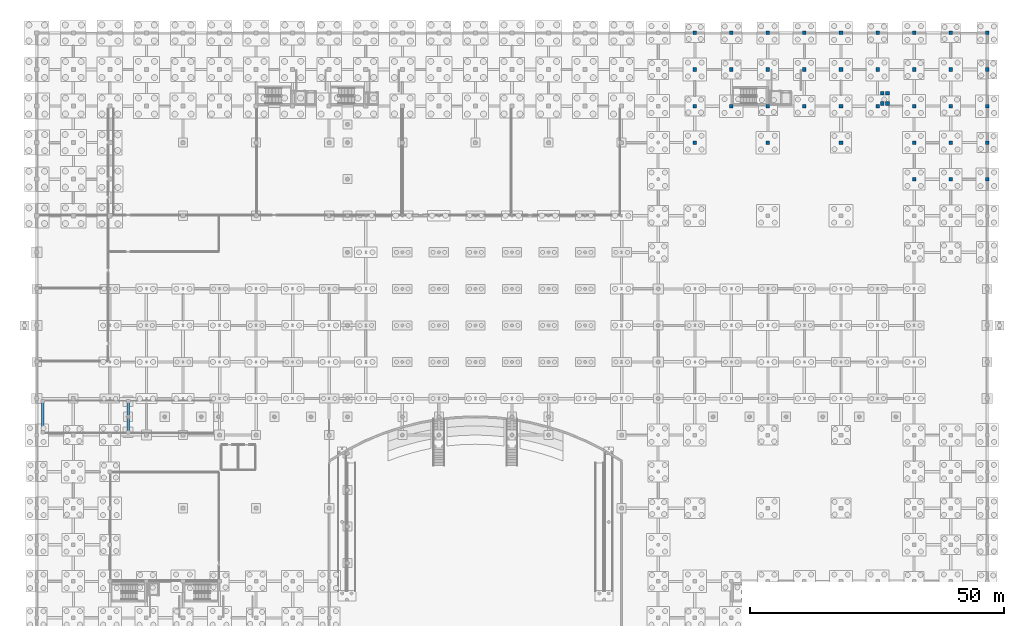
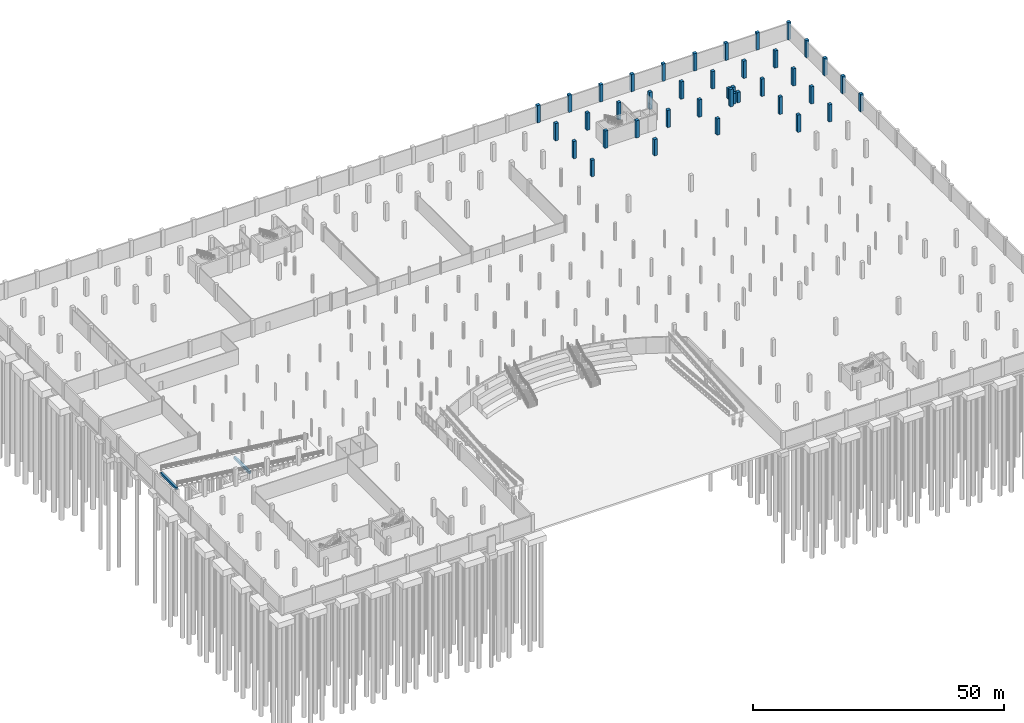
# One storey, part 35 of 56: 40 columns, 2 beams.
"""IFC4 building model written with IfcOpenShell, lengths in metres."""

from ifc_helpers import new_model, si_unit, direction, frame, origin, origin_2d, place, context, subcontext, project, spatial, rectangle, extrude, material, material_profile, profile_set, type_object, element, save


model = new_model("IFC4")

# Units and contexts
model_context = context("Model", 3, precision=1e-05, world=origin(), true_north=direction((0.0, 1.0)))
body_context = subcontext(model_context, "Body", "Model", "MODEL_VIEW")
ifc_project = project(units=[si_unit("LENGTHUNIT", "METRE"), si_unit("AREAUNIT", "SQUARE_METRE"), si_unit("VOLUMEUNIT", "CUBIC_METRE"), si_unit("PLANEANGLEUNIT", "RADIAN"), si_unit("MASSUNIT", "GRAM", prefix="KILO")], contexts=[model_context])

# Site, building, storey
site_placement = place(None, origin())
site = spatial("IfcSite", under=ifc_project, at=site_placement, CompositionType="ELEMENT")
building_placement = place(site_placement, origin())
building = spatial("IfcBuilding", under=site, at=building_placement, Name="Suanplinth Sawtooth Commons", CompositionType="ELEMENT")
storey_placement = place(building_placement, frame((0.0, 0.0, -4.199951171875)))
storey = spatial("IfcBuildingStorey", under=building, at=storey_placement, Name="B1", CompositionType="ELEMENT", Elevation=-4.199951171875)

# Columns
ifc_material_1 = material(Name="Concrete C40/50", Category="concrete")
ifc_material_profile_1 = material_profile(ifc_material_1, rectangle(XDim=0.699951171875, YDim=0.699951171875, at=origin_2d()), Name="RC-COL 700x700")
ifc_profile_set_1 = profile_set([ifc_material_profile_1], Name="Concrete C40/50")
column_type = type_object("IfcColumnType", Name="C-02", PredefinedType="COLUMN", material=ifc_profile_set_1)
column_1_placement = place(storey_placement, frame((129.60009765625, 100.800048828125, 0.0), z_axis=(0.0, 0.0, 1.0), x_axis=(1.0, 0.0, 0.0)))
element("IfcColumn", 1, at=column_1_placement, inside=storey, type_object=column_type, Name="Column B1 19/Q", PredefinedType="COLUMN", context=body_context, shape_type="SweptSolid", body=[
    extrude(rectangle(XDim=0.699951171875, YDim=0.699951171875, at=origin_2d()), origin(), (0.0, 0.0, 1.0), 3.97998046875),
])
for number, where, z_axis, x_axis, name in (
    (2, (129.60009765625, 108.0, 0.0), (0.0, 0.0, 1.0), (1.0, 0.0, 0.0), "Column B1 19/R"),
    (3, (129.60009765625, 115.199951171875, 0.0), (0.0, 0.0, 1.0), (1.0, 0.0, 0.0), "Column B1 19/S"),
    (4, (129.60009765625, 122.39990234375, 0.0), (0.0, 0.0, 1.0), (1.0, 0.0, 0.0), "Column B1 19/T"),
    (5, (136.800048828125, 108.0, 0.0), (0.0, 0.0, 1.0), (1.0, 0.0, 0.0), "Column B1 20/R"),
    (6, (136.800048828125, 115.199951171875, 0.0), (0.0, 0.0, 1.0), (1.0, 0.0, 0.0), "Column B1 20/S"),
    (7, (136.800048828125, 122.39990234375, 0.0), (0.0, 0.0, 1.0), (1.0, 0.0, 0.0), "Column B1 20/T"),
):
    element("IfcColumn", number, at=place(storey_placement, frame(where, z_axis=z_axis, x_axis=x_axis)), inside=storey, type_object=column_type, Name=name, PredefinedType="COLUMN", context=body_context, shape_type="SweptSolid", body=[
        extrude(rectangle(XDim=0.699951171875, YDim=0.699951171875, at=origin_2d()), origin(), (0.0, 0.0, 1.0), 4.199951171875),
    ])
column_2_placement = place(storey_placement, frame((144.0, 100.800048828125, 0.0), z_axis=(0.0, 0.0, 1.0), x_axis=(1.0, 0.0, 0.0)))
element("IfcColumn", 8, at=column_2_placement, inside=storey, type_object=column_type, Name="Column B1 21/Q", PredefinedType="COLUMN", context=body_context, shape_type="SweptSolid", body=[
    extrude(rectangle(XDim=0.699951171875, YDim=0.699951171875, at=origin_2d()), origin(), (0.0, 0.0, 1.0), 3.97998046875),
])
for number, where, z_axis, x_axis, name in (
    (9, (144.0, 108.0, 0.0), (0.0, 0.0, 1.0), (1.0, 0.0, 0.0), "Column B1 21/R"),
    (10, (144.0, 115.199951171875, 0.0), (0.0, 0.0, 1.0), (1.0, 0.0, 0.0), "Column B1 21/S"),
    (11, (144.0, 122.39990234375, 0.0), (0.0, 0.0, 1.0), (1.0, 0.0, 0.0), "Column B1 21/T"),
    (12, (151.199951171875, 108.0, 0.0), (0.0, 0.0, 1.0), (1.0, 0.0, 0.0), "Column B1 22/R"),
    (13, (151.199951171875, 115.199951171875, 0.0), (0.0, 0.0, 1.0), (1.0, 0.0, 0.0), "Column B1 22/S"),
    (14, (151.199951171875, 122.39990234375, 0.0), (0.0, 0.0, 1.0), (1.0, 0.0, 0.0), "Column B1 22/T"),
):
    element("IfcColumn", number, at=place(storey_placement, frame(where, z_axis=z_axis, x_axis=x_axis)), inside=storey, type_object=column_type, Name=name, PredefinedType="COLUMN", context=body_context, shape_type="SweptSolid", body=[
        extrude(rectangle(XDim=0.699951171875, YDim=0.699951171875, at=origin_2d()), origin(), (0.0, 0.0, 1.0), 4.199951171875),
    ])
column_3_placement = place(storey_placement, frame((158.39990234375, 100.800048828125, 0.0), z_axis=(0.0, 0.0, 1.0), x_axis=(1.0, 0.0, 0.0)))
element("IfcColumn", 15, at=column_3_placement, inside=storey, type_object=column_type, Name="Column B1 23/Q", PredefinedType="COLUMN", context=body_context, shape_type="SweptSolid", body=[
    extrude(rectangle(XDim=0.699951171875, YDim=0.699951171875, at=origin_2d()), origin(), (0.0, 0.0, 1.0), 3.97998046875),
])
for number, where, z_axis, x_axis, name in (
    (16, (158.39990234375, 108.0, 0.0), (0.0, 0.0, 1.0), (1.0, 0.0, 0.0), "Column B1 23/R"),
    (17, (158.39990234375, 115.199951171875, 0.0), (0.0, 0.0, 1.0), (1.0, 0.0, 0.0), "Column B1 23/S"),
    (18, (158.39990234375, 122.39990234375, 0.0), (0.0, 0.0, 1.0), (1.0, 0.0, 0.0), "Column B1 23/T"),
    (19, (165.60009765625, 108.0, 0.0), (0.0, 0.0, 1.0), (1.0, 0.0, 0.0), "Column B1 24/R"),
    (20, (165.60009765625, 115.199951171875, 0.0), (0.0, 0.0, 1.0), (1.0, 0.0, 0.0), "Column B1 24/S"),
    (21, (165.60009765625, 122.39990234375, 0.0), (0.0, 0.0, 1.0), (1.0, 0.0, 0.0), "Column B1 24/T"),
    (22, (172.800048828125, 93.60009765625, 0.0), (0.0, 0.0, 1.0), (1.0, 0.0, 0.0), "Column B1 25/P"),
    (23, (172.800048828125, 100.800048828125, 0.0), (0.0, 0.0, 1.0), (1.0, 0.0, 0.0), "Column B1 25/Q"),
    (24, (172.800048828125, 108.0, 0.0), (0.0, 0.0, 1.0), (1.0, 0.0, 0.0), "Column B1 25/R"),
    (25, (172.800048828125, 115.199951171875, 0.0), (0.0, 0.0, 1.0), (1.0, 0.0, 0.0), "Column B1 25/S"),
    (26, (172.800048828125, 122.39990234375, 0.0), (0.0, 0.0, 1.0), (1.0, 0.0, 0.0), "Column B1 25/T"),
    (27, (180.0, 93.60009765625, 0.0), (0.0, 0.0, 1.0), (1.0, 0.0, 0.0), "Column B1 26/P"),
    (28, (180.0, 100.800048828125, 0.0), (0.0, 0.0, 1.0), (1.0, 0.0, 0.0), "Column B1 26/Q"),
    (29, (180.0, 108.0, 0.0), (0.0, 0.0, 1.0), (1.0, 0.0, 0.0), "Column B1 26/R"),
    (30, (180.0, 115.199951171875, 0.0), (0.0, 0.0, 1.0), (1.0, 0.0, 0.0), "Column B1 26/S"),
    (31, (180.0, 122.39990234375, 0.0), (0.0, 0.0, 1.0), (1.0, 0.0, 0.0), "Column B1 26/T"),
    (32, (187.199951171875, 93.60009765625, 0.0), (0.0, 0.0, 1.0), (1.0, 0.0, 0.0), "Column B1 27/P"),
    (33, (187.199951171875, 100.800048828125, 0.0), (0.0, 0.0, 1.0), (1.0, 0.0, 0.0), "Column B1 27/Q"),
    (34, (187.199951171875, 108.0, 0.0), (0.0, 0.0, 1.0), (1.0, 0.0, 0.0), "Column B1 27/R"),
    (35, (187.199951171875, 115.199951171875, 0.0), (0.0, 0.0, 1.0), (1.0, 0.0, 0.0), "Column B1 27/S"),
    (36, (187.199951171875, 122.39990234375, 0.0), (0.0, 0.0, 1.0), (1.0, 0.0, 0.0), "Column B1 27/T"),
):
    element("IfcColumn", number, at=place(storey_placement, frame(where, z_axis=z_axis, x_axis=x_axis)), inside=storey, type_object=column_type, Name=name, PredefinedType="COLUMN", context=body_context, shape_type="SweptSolid", body=[
        extrude(rectangle(XDim=0.699951171875, YDim=0.699951171875, at=origin_2d()), origin(), (0.0, 0.0, 1.0), 4.199951171875),
    ])
for number, where, z_axis, x_axis, name in (
    (37, (166.550048828125, 108.5, 0.0), (0.0, 0.0, 1.0), (1.0, 0.0, 0.0), "Lift Pit Support Column LF4-1"),
    (38, (167.550048828125, 108.5, 0.0), (0.0, 0.0, 1.0), (1.0, 0.0, 0.0), "Lift Pit Support Column LF4-2"),
    (39, (166.550048828125, 110.5, 0.0), (0.0, 0.0, 1.0), (1.0, 0.0, 0.0), "Lift Pit Support Column LF4-3"),
    (40, (167.550048828125, 110.5, 0.0), (0.0, 0.0, 1.0), (1.0, 0.0, 0.0), "Lift Pit Support Column LF4-4"),
):
    element("IfcColumn", number, at=place(storey_placement, frame(where, z_axis=z_axis, x_axis=x_axis)), inside=storey, type_object=column_type, Name=name, PredefinedType="COLUMN", context=body_context, shape_type="SweptSolid", body=[
        extrude(rectangle(XDim=0.699951171875, YDim=0.699951171875, at=origin_2d()), origin(), (0.0, 0.0, 1.0), 2.530029296875),
    ])

# Beams
ifc_material_2 = material(Name="Precast concrete C40/50", Category="concrete")
ifc_material_profile_2 = material_profile(ifc_material_2, rectangle(XDim=0.449951171875, YDim=0.64990234375, at=origin_2d()), Name="PC-GDR 450x650")
ifc_profile_set_2 = profile_set([ifc_material_profile_2], Name="Precast concrete C40/50")
beam_type = type_object("IfcBeamType", Name="B-04", PredefinedType="USERDEFINED", material=ifc_profile_set_2)
for number, where, z_axis, x_axis, name in (
    (41, (18.0, 43.75, 1.52001953125), (0.0, 1.0, 0.0), (-1.0, 0.0, 0.0), "Vehicle Ramp Mid-Span RC Support Girder"),
    (42, (1.199951171875, 43.75, 3.5400390625), (0.0, 1.0, 0.0), (-1.0, 0.0, 0.0), "Vehicle Ramp Top Threshold RC Support Girder"),
):
    element("IfcBeam", number, at=place(storey_placement, frame(where, z_axis=z_axis, x_axis=x_axis)), inside=storey, type_object=beam_type, Name=name, ObjectType="GIRDER", PredefinedType="USERDEFINED", context=body_context, shape_type="SweptSolid", body=[
        extrude(rectangle(XDim=0.449951171875, YDim=0.64990234375, at=origin_2d()), origin(), (0.0, 0.0, 1.0), 6.10009765625),
    ])

save(model, "model.ifc")
